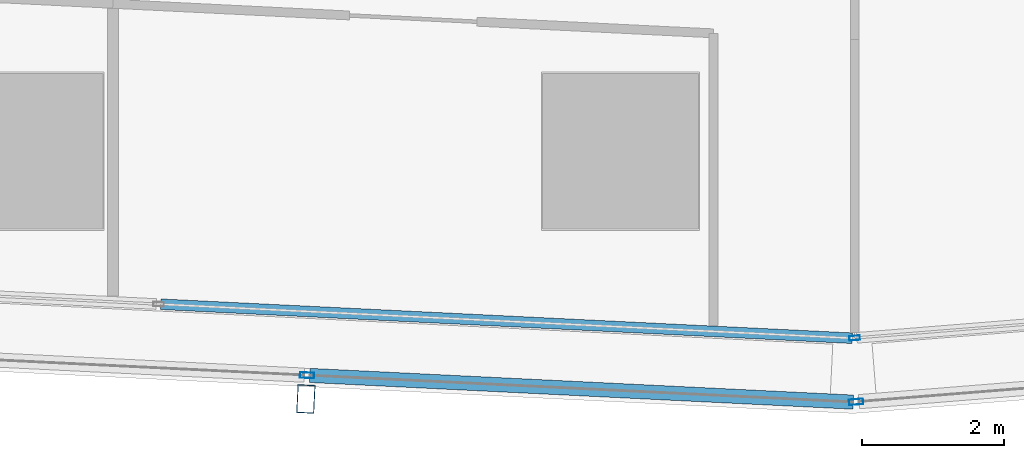
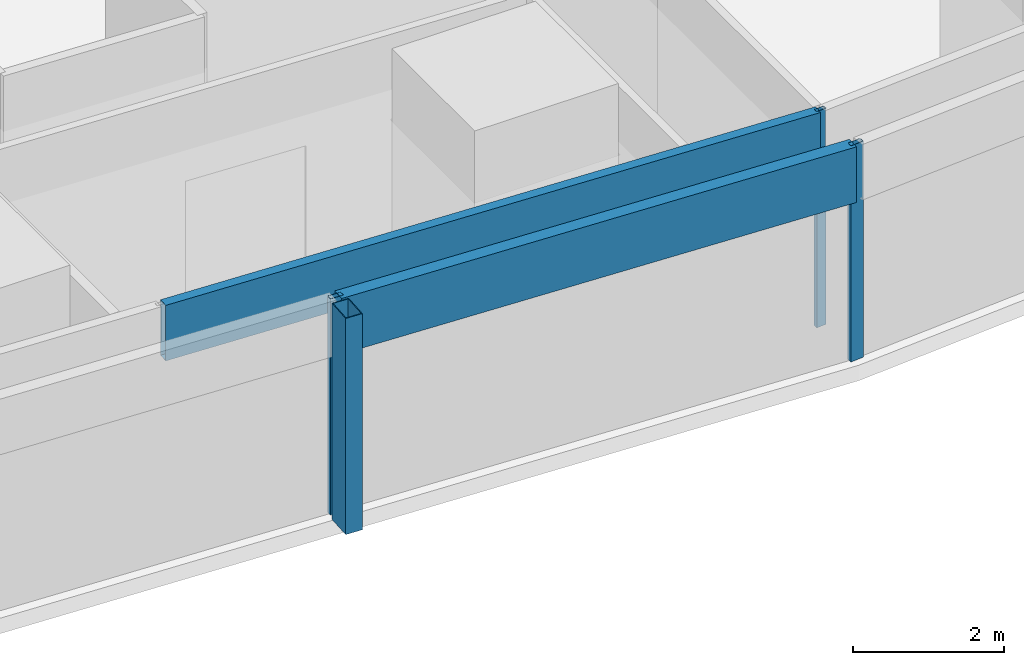
# One storey, part 9 of 45: 6 members, 4 elements without a shape of their own.
"""IFC4 building model written with IfcOpenShell, lengths in metres."""

from ifc_helpers import new_model, si_unit, direction, frame, origin, origin_2d, place, context, subcontext, project, spatial, hollow_rectangle, extrude, material, material_profile, profile_set, type_object, element, aggregate, save


model = new_model("IFC4")

# Units and contexts
model_context = context("Model", 3, precision=1e-05, world=origin(), true_north=direction((0.0, 1.0)))
body_context = subcontext(model_context, "Body", "Model", "MODEL_VIEW")
ifc_project = project(units=[si_unit("LENGTHUNIT", "METRE"), si_unit("AREAUNIT", "SQUARE_METRE"), si_unit("VOLUMEUNIT", "CUBIC_METRE"), si_unit("PLANEANGLEUNIT", "RADIAN"), si_unit("MASSUNIT", "GRAM", prefix="KILO")], contexts=[model_context])

# Site, building, storey
site_placement = place(None, origin())
site = spatial("IfcSite", under=ifc_project, at=site_placement, CompositionType="ELEMENT")
building_placement = place(site_placement, origin())
building = spatial("IfcBuilding", under=site, at=building_placement, Name="Rekha Terrace Tower", CompositionType="ELEMENT")
storey_placement = place(building_placement, frame((0.0, 0.0, 44.14990234375)))
storey = spatial("IfcBuildingStorey", under=building, at=storey_placement, Name="L10", CompositionType="ELEMENT", Elevation=44.14990234375)

# Curtain wall, member
ifc_material_1 = material(Name="Aluminium framing", Category="aluminium")
curtain_wall_type_1 = type_object("IfcCurtainWallType", Name="CW2 double skin outer glazing", PredefinedType="USERDEFINED", material=ifc_material_1)
curtain_wall_1_placement = place(storey_placement, origin())
curtain_wall_1 = element("IfcCurtainWall", 1, at=curtain_wall_1_placement, inside=storey, type_object=curtain_wall_type_1, Name="CW2 double skin outer glazing", ObjectType="DOUBLE SKIN OUTER GLAZING", PredefinedType="USERDEFINED")
ifc_material_2 = material(Name="Steel S355 with fluorocarbon finish", Category="steel")
ifc_material_profile_1 = material_profile(ifc_material_2, hollow_rectangle(XDim=0.25, YDim=0.39990234375, WallThickness=0.012451171875, at=origin_2d()), Name="RHS400x250x12.5")
ifc_profile_set_1 = profile_set([ifc_material_profile_1], Name="Steel S355 with fluorocarbon finish")
member_type_1 = type_object("IfcMemberType", Name="BL1 facade blade RHS 400 x 250", PredefinedType="USERDEFINED", material=ifc_profile_set_1)
member_1_placement = place(storey_placement, frame((37.562744140625, 4.904296875, 0.0), z_axis=(0.0, 0.0, 1.0), x_axis=(0.998796226835, -0.049051985279, 0.0)))
member_1 = element("IfcMember", 2, at=member_1_placement, type_object=member_type_1, Name="Facade blade", ObjectType="FACADE BLADE", PredefinedType="USERDEFINED", context=body_context, shape_type="SweptSolid", body=[
    extrude(hollow_rectangle(XDim=0.25, YDim=0.39990234375, WallThickness=0.012451171875, at=origin_2d()), origin(), (0.0, 0.0, 1.0), 3.5),
])

curtain_wall_type_2 = type_object("IfcCurtainWallType", Name="CW1 double skin inner glazing", PredefinedType="USERDEFINED", material=ifc_material_1)
curtain_wall_2_placement = place(storey_placement, origin())
curtain_wall_2 = element("IfcCurtainWall", 3, at=curtain_wall_2_placement, inside=storey, type_object=curtain_wall_type_2, Name="CW1 double skin inner glazing", ObjectType="DOUBLE SKIN INNER GLAZING", PredefinedType="USERDEFINED")
ifc_material_3 = material(Name="Aluminium mullion section", Category="aluminium")
ifc_material_profile_2 = material_profile(ifc_material_3, hollow_rectangle(XDim=0.06494140625, YDim=0.14990234375, WallThickness=0.00390625, at=origin_2d()), Name="AL RHS 65x150")
ifc_profile_set_2 = profile_set([ifc_material_profile_2], Name="Aluminium mullion section")
member_type_2 = type_object("IfcMemberType", Name="CW1 mullion RHS 65 x 150", PredefinedType="MULLION", material=ifc_profile_set_2)
member_2_placement = place(storey_placement, frame((45.303955078125, 5.7646484375, 0.0), z_axis=(0.0, 0.0, 1.0), x_axis=(-0.079872204468, 0.996805111821, 0.0)))
member_2 = element("IfcMember", 4, at=member_2_placement, type_object=member_type_2, Name="CW1 mullion 1", PredefinedType="MULLION", context=body_context, shape_type="SweptSolid", body=[
    extrude(hollow_rectangle(XDim=0.06494140625, YDim=0.14990234375, WallThickness=0.00390625, at=origin_2d()), origin(), (0.0, 0.0, 1.0), 3.5),
])
aggregate(curtain_wall_2, [member_2])

curtain_wall_3_placement = place(storey_placement, origin())
curtain_wall_3 = element("IfcCurtainWall", 5, at=curtain_wall_3_placement, inside=storey, type_object=curtain_wall_type_2, Name="CW1 double skin inner glazing", ObjectType="DOUBLE SKIN INNER GLAZING", PredefinedType="USERDEFINED")
ifc_material_4 = material(Name="Insulated aluminium spandrel box", Category="aluminium")
ifc_material_profile_3 = material_profile(ifc_material_4, hollow_rectangle(XDim=0.14990234375, YDim=0.89990234375, WallThickness=0.0029296875, at=origin_2d()), Name="AL SPANDREL BOX 150x900")
ifc_profile_set_3 = profile_set([ifc_material_profile_3], Name="Insulated aluminium spandrel box")
member_type_3 = type_object("IfcMemberType", Name="CW1 spandrel transom 150 x 900", PredefinedType="USERDEFINED", material=ifc_profile_set_3)
member_3_placement = place(storey_placement, frame((35.516357421875, 6.2412109375, 3.050048828125), z_axis=(0.998795409084, -0.049068633482, 0.0), x_axis=(0.049068633482, 0.998795409084, 0.0)))
member_3 = element("IfcMember", 6, at=member_3_placement, type_object=member_type_3, Name="CW1 spandrel transom 3", ObjectType="TRANSOM", PredefinedType="USERDEFINED", context=body_context, shape_type="SweptSolid", body=[
    extrude(hollow_rectangle(XDim=0.14990234375, YDim=0.89990234375, WallThickness=0.0029296875, at=origin_2d()), origin(), (0.0, 0.0, 1.0), 9.766845703125),
])
aggregate(curtain_wall_3, [member_3])

# Member
ifc_material_profile_4 = material_profile(ifc_material_3, hollow_rectangle(XDim=0.080078125, YDim=0.199951171875, WallThickness=0.00390625, at=origin_2d()), Name="AL RHS 80x200")
ifc_profile_set_4 = profile_set([ifc_material_profile_4], Name="Aluminium mullion section")
member_type_4 = type_object("IfcMemberType", Name="CW2 mullion RHS 80 x 200", PredefinedType="MULLION", material=ifc_profile_set_4)
member_4_placement = place(storey_placement, frame((37.5791015625, 5.23876953125, 0.0), z_axis=(0.0, 0.0, 1.0), x_axis=(0.049051717746, 0.998796239974, 0.0)))
member_4 = element("IfcMember", 7, at=member_4_placement, type_object=member_type_4, Name="CW2 mullion 5", PredefinedType="MULLION", context=body_context, shape_type="SweptSolid", body=[
    extrude(hollow_rectangle(XDim=0.080078125, YDim=0.199951171875, WallThickness=0.00390625, at=origin_2d()), origin(), (0.0, 0.0, 1.0), 3.5),
])

# Curtain wall, member
curtain_wall_4_placement = place(storey_placement, origin())
curtain_wall_4 = element("IfcCurtainWall", 8, at=curtain_wall_4_placement, inside=storey, type_object=curtain_wall_type_1, Name="CW2 double skin outer glazing", ObjectType="DOUBLE SKIN OUTER GLAZING", PredefinedType="USERDEFINED")
member_5_placement = place(storey_placement, frame((45.325439453125, 4.863525390625, 0.0), z_axis=(0.0, 0.0, 1.0), x_axis=(-0.079872204468, 0.996805111821, 0.0)))
member_5 = element("IfcMember", 9, at=member_5_placement, type_object=member_type_4, Name="CW2 mullion 1", PredefinedType="MULLION", context=body_context, shape_type="SweptSolid", body=[
    extrude(hollow_rectangle(XDim=0.080078125, YDim=0.199951171875, WallThickness=0.00390625, at=origin_2d()), origin(), (0.0, 0.0, 1.0), 3.5),
])
aggregate(curtain_wall_4, [member_5])

# Member
ifc_material_profile_5 = material_profile(ifc_material_4, hollow_rectangle(XDim=0.199951171875, YDim=0.89990234375, WallThickness=0.0029296875, at=origin_2d()), Name="AL SPANDREL BOX 200x900")
ifc_profile_set_5 = profile_set([ifc_material_profile_5], Name="Insulated aluminium spandrel box")
member_type_5 = type_object("IfcMemberType", Name="CW2 spandrel transom 200 x 900", PredefinedType="USERDEFINED", material=ifc_profile_set_5)
member_6_placement = place(storey_placement, frame((37.619140625, 5.23681640625, 3.050048828125), z_axis=(0.998796518042, -0.049046055373, 0.0), x_axis=(0.049046055373, 0.998796518042, 0.0)))
member_6 = element("IfcMember", 10, at=member_6_placement, type_object=member_type_5, Name="CW2 spandrel transom 5", ObjectType="TRANSOM", PredefinedType="USERDEFINED", context=body_context, shape_type="SweptSolid", body=[
    extrude(hollow_rectangle(XDim=0.199951171875, YDim=0.89990234375, WallThickness=0.0029296875, at=origin_2d()), origin(), (0.0, 0.0, 1.0), 7.67578125),
])

aggregate(curtain_wall_1, [member_4, member_6, member_1])

save(model, "model.ifc")
